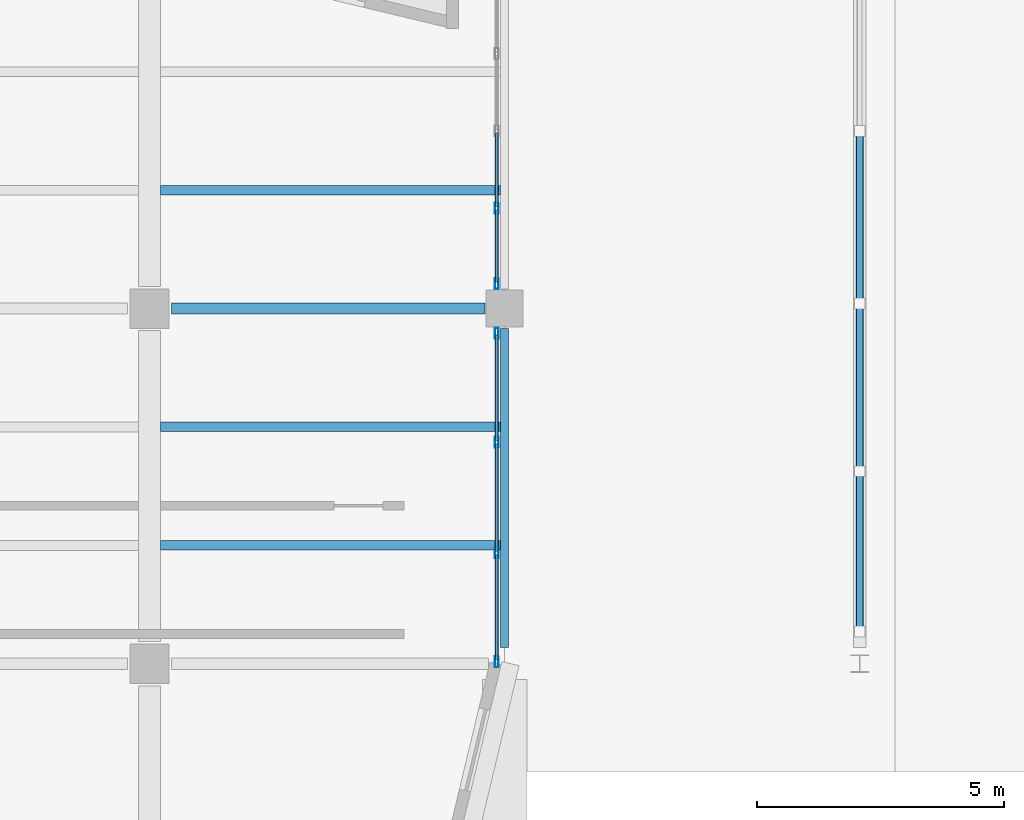
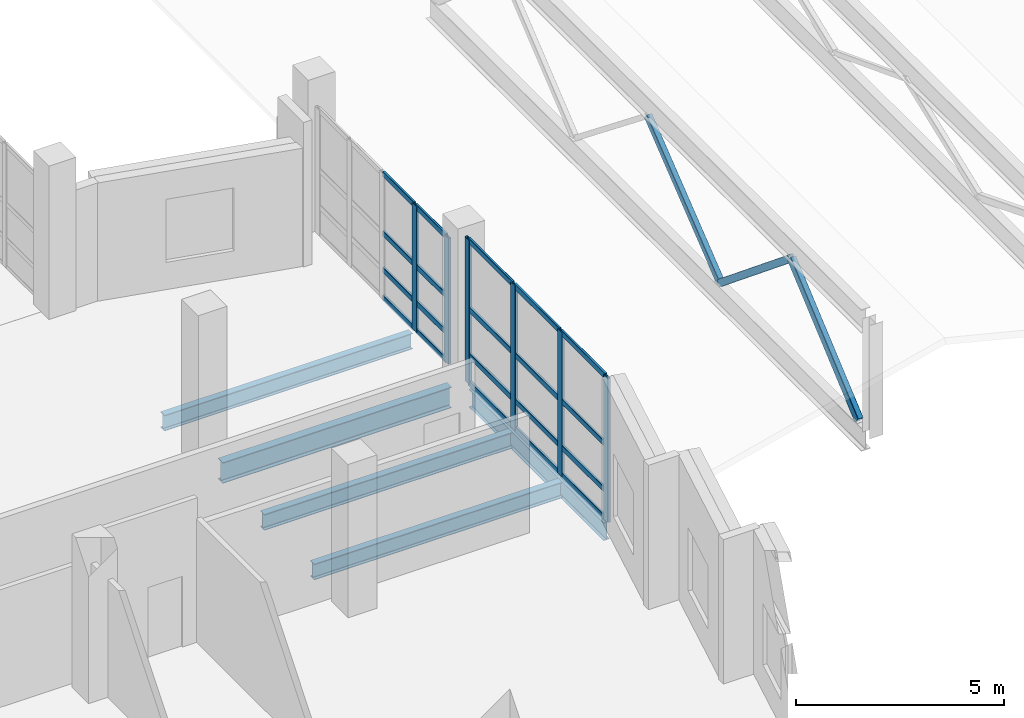
# One storey, part 26 of 123: 29 members, 5 beams, 2 elements without a shape of their own.
"""IFC4 building model written with IfcOpenShell, lengths in metres."""

from ifc_helpers import new_model, si_unit, direction, frame, origin, origin_2d, place, context, subcontext, project, spatial, hollow_rectangle, i_section, extrude, material, material_profile, profile_set, type_object, element, aggregate, save


model = new_model("IFC4")

# Units and contexts
model_context = context("Model", 3, precision=1e-05, world=origin(), true_north=direction((0.0, 1.0)))
body_context = subcontext(model_context, "Body", "Model", "MODEL_VIEW")
ifc_project = project(units=[si_unit("LENGTHUNIT", "METRE"), si_unit("AREAUNIT", "SQUARE_METRE"), si_unit("VOLUMEUNIT", "CUBIC_METRE"), si_unit("PLANEANGLEUNIT", "RADIAN"), si_unit("MASSUNIT", "GRAM", prefix="KILO")], contexts=[model_context])

# Site, building, storey
site_placement = place(None, origin())
site = spatial("IfcSite", under=ifc_project, at=site_placement, CompositionType="ELEMENT")
building_placement = place(site_placement, origin())
building = spatial("IfcBuilding", under=site, at=building_placement, Name="Kalmorath City Hall", CompositionType="ELEMENT")
storey_placement = place(building_placement, frame((0.0, 0.0, 10.199951171875)))
storey = spatial("IfcBuildingStorey", under=building, at=storey_placement, Name="L02", CompositionType="ELEMENT", Elevation=10.199951171875)

# Curtain wall, members
ifc_material_1 = material(Name="Anodised aluminium and laminated glass", Category="aluminium")
curtain_wall_type_1 = type_object("IfcCurtainWallType", Name="Unitised hurricane curtain wall 6270x3696 M1500", PredefinedType="NOTDEFINED", material=ifc_material_1)
curtain_wall_1_placement = place(storey_placement, origin())
curtain_wall_1 = element("IfcCurtainWall", 1, at=curtain_wall_1_placement, inside=storey, type_object=curtain_wall_type_1, Name="L02 curtain wall CW-63X37M15 #143", PredefinedType="NOTDEFINED")
ifc_material_2 = material(Name="Anodised aluminium framing", Category="aluminium")
ifc_material_profile_1 = material_profile(ifc_material_2, hollow_rectangle(XDim=0.074951171875, YDim=0.219970703125, WallThickness=0.00390625, InnerFilletRadius=0.00390625, OuterFilletRadius=0.008056640625, at=origin_2d()), Name="ALU-MUL-220X75X4")
ifc_profile_set_1 = profile_set([ifc_material_profile_1], Name="Anodised aluminium framing")
member_type_1 = type_object("IfcMemberType", Name="Curtain-wall primary mullion 220x75", PredefinedType="MULLION", material=ifc_profile_set_1)
member_1_placement = place(storey_placement, frame((35.840087890625, 30.83251953125, 0.0), z_axis=(0.0, 0.0, 1.0), x_axis=(1.0, 0.0, 0.0)))
member_1 = element("IfcMember", 2, at=member_1_placement, type_object=member_type_1, Name="CW-63X37M15 mullion 4", PredefinedType="MULLION", context=body_context, shape_type="SweptSolid", body=[
    extrude(hollow_rectangle(XDim=0.074951171875, YDim=0.219970703125, WallThickness=0.00390625, InnerFilletRadius=0.00390625, OuterFilletRadius=0.008056640625, at=origin_2d()), origin(), (0.0, 0.0, 1.0), 3.696044921875),
])
member_2_placement = place(storey_placement, frame((35.840087890625, 29.302490234375, 0.0), z_axis=(0.0, 0.0, 1.0), x_axis=(1.0, 0.0, 0.0)))
member_2 = element("IfcMember", 3, at=member_2_placement, type_object=member_type_1, Name="CW-63X37M15 mullion 5", PredefinedType="MULLION", context=body_context, shape_type="SweptSolid", body=[
    extrude(hollow_rectangle(XDim=0.074951171875, YDim=0.219970703125, WallThickness=0.00390625, InnerFilletRadius=0.00390625, OuterFilletRadius=0.008056640625, at=origin_2d()), origin(), (0.0, 0.0, 1.0), 3.696044921875),
])

ifc_material_3 = material(Name="Anodised aluminium and laminated glass", Category="aluminium")
curtain_wall_type_2 = type_object("IfcCurtainWallType", Name="Unitised hurricane curtain wall 6735x4240 M2100", PredefinedType="NOTDEFINED", material=ifc_material_3)
curtain_wall_2_placement = place(storey_placement, origin())
curtain_wall_2 = element("IfcCurtainWall", 4, at=curtain_wall_2_placement, inside=storey, type_object=curtain_wall_type_2, Name="L02 curtain wall CW-67X42M21 #144", PredefinedType="NOTDEFINED")
member_3_placement = place(storey_placement, frame((35.840087890625, 28.297607421875, 0.0), z_axis=(0.0, 0.0, 1.0), x_axis=(1.0, 0.0, 0.0)))
member_3 = element("IfcMember", 5, at=member_3_placement, type_object=member_type_1, Name="CW-67X42M21 mullion 1", PredefinedType="MULLION", context=body_context, shape_type="SweptSolid", body=[
    extrude(hollow_rectangle(XDim=0.074951171875, YDim=0.219970703125, WallThickness=0.00390625, InnerFilletRadius=0.00390625, OuterFilletRadius=0.008056640625, at=origin_2d()), origin(), (0.0, 0.0, 1.0), 4.239990234375),
])
member_4_placement = place(storey_placement, frame((35.840087890625, 26.090087890625, 0.0), z_axis=(0.0, 0.0, 1.0), x_axis=(1.0, 0.0, 0.0)))
member_4 = element("IfcMember", 6, at=member_4_placement, type_object=member_type_1, Name="CW-67X42M21 mullion 2", PredefinedType="MULLION", context=body_context, shape_type="SweptSolid", body=[
    extrude(hollow_rectangle(XDim=0.074951171875, YDim=0.219970703125, WallThickness=0.00390625, InnerFilletRadius=0.00390625, OuterFilletRadius=0.008056640625, at=origin_2d()), origin(), (0.0, 0.0, 1.0), 4.239990234375),
])
member_5_placement = place(storey_placement, frame((35.840087890625, 23.844970703125, 0.0), z_axis=(0.0, 0.0, 1.0), x_axis=(1.0, 0.0, 0.0)))
member_5 = element("IfcMember", 7, at=member_5_placement, type_object=member_type_1, Name="CW-67X42M21 mullion 3", PredefinedType="MULLION", context=body_context, shape_type="SweptSolid", body=[
    extrude(hollow_rectangle(XDim=0.074951171875, YDim=0.219970703125, WallThickness=0.00390625, InnerFilletRadius=0.00390625, OuterFilletRadius=0.008056640625, at=origin_2d()), origin(), (0.0, 0.0, 1.0), 4.239990234375),
])
member_6_placement = place(storey_placement, frame((35.840087890625, 21.637451171875, 0.0), z_axis=(0.0, 0.0, 1.0), x_axis=(1.0, 0.0, 0.0)))
member_6 = element("IfcMember", 8, at=member_6_placement, type_object=member_type_1, Name="CW-67X42M21 mullion 4", PredefinedType="MULLION", context=body_context, shape_type="SweptSolid", body=[
    extrude(hollow_rectangle(XDim=0.074951171875, YDim=0.219970703125, WallThickness=0.00390625, InnerFilletRadius=0.00390625, OuterFilletRadius=0.008056640625, at=origin_2d()), origin(), (0.0, 0.0, 1.0), 4.239990234375),
])

# Member
ifc_material_4 = material(Name="Anodised aluminium framing", Category="aluminium")
ifc_material_profile_2 = material_profile(ifc_material_4, hollow_rectangle(XDim=0.06494140625, YDim=0.159912109375, WallThickness=0.00390625, InnerFilletRadius=0.00390625, OuterFilletRadius=0.008056640625, at=origin_2d()), Name="ALU-TRN-160X65X4")
ifc_profile_set_2 = profile_set([ifc_material_profile_2], Name="Anodised aluminium framing")
member_type_2 = type_object("IfcMemberType", Name="Curtain-wall primary transom 160x65", PredefinedType="USERDEFINED", material=ifc_profile_set_2)
member_7_placement = place(storey_placement, frame((35.840087890625, 32.362548828125, 0.032470703125), z_axis=(0.0, -1.0, 0.0), x_axis=(1.0, 0.0, 0.0)))
member_7 = element("IfcMember", 9, at=member_7_placement, type_object=member_type_2, Name="CW-63X37M15 transom 3.1", ObjectType="TRANSOM", PredefinedType="USERDEFINED", context=body_context, shape_type="SweptSolid", body=[
    extrude(hollow_rectangle(XDim=0.06494140625, YDim=0.159912109375, WallThickness=0.00390625, InnerFilletRadius=0.00390625, OuterFilletRadius=0.008056640625, at=origin_2d()), origin(), (0.0, 0.0, 1.0), 1.492431640625),
])

member_8_placement = place(storey_placement, frame((35.840087890625, 32.362548828125, 0.85009765625), z_axis=(0.0, -1.0, 0.0), x_axis=(1.0, 0.0, 0.0)))
member_8 = element("IfcMember", 10, at=member_8_placement, type_object=member_type_2, Name="CW-63X37M15 transom 3.2", ObjectType="TRANSOM", PredefinedType="USERDEFINED", context=body_context, shape_type="SweptSolid", body=[
    extrude(hollow_rectangle(XDim=0.06494140625, YDim=0.159912109375, WallThickness=0.00390625, InnerFilletRadius=0.00390625, OuterFilletRadius=0.008056640625, at=origin_2d()), origin(), (0.0, 0.0, 1.0), 1.492431640625),
])

member_9_placement = place(storey_placement, frame((35.840087890625, 32.362548828125, 1.922119140625), z_axis=(0.0, -1.0, 0.0), x_axis=(1.0, 0.0, 0.0)))
member_9 = element("IfcMember", 11, at=member_9_placement, type_object=member_type_2, Name="CW-63X37M15 transom 3.3", ObjectType="TRANSOM", PredefinedType="USERDEFINED", context=body_context, shape_type="SweptSolid", body=[
    extrude(hollow_rectangle(XDim=0.06494140625, YDim=0.159912109375, WallThickness=0.00390625, InnerFilletRadius=0.00390625, OuterFilletRadius=0.008056640625, at=origin_2d()), origin(), (0.0, 0.0, 1.0), 1.492431640625),
])

member_10_placement = place(storey_placement, frame((35.840087890625, 32.362548828125, 3.66357421875), z_axis=(0.0, -1.0, 0.0), x_axis=(1.0, 0.0, 0.0)))
member_10 = element("IfcMember", 12, at=member_10_placement, type_object=member_type_2, Name="CW-63X37M15 transom 3.4", ObjectType="TRANSOM", PredefinedType="USERDEFINED", context=body_context, shape_type="SweptSolid", body=[
    extrude(hollow_rectangle(XDim=0.06494140625, YDim=0.159912109375, WallThickness=0.00390625, InnerFilletRadius=0.00390625, OuterFilletRadius=0.008056640625, at=origin_2d()), origin(), (0.0, 0.0, 1.0), 1.492431640625),
])

member_11_placement = place(storey_placement, frame((35.840087890625, 30.794921875, 0.032470703125), z_axis=(0.0, -1.0, 0.0), x_axis=(1.0, 0.0, 0.0)))
member_11 = element("IfcMember", 13, at=member_11_placement, type_object=member_type_2, Name="CW-63X37M15 transom 4.1", ObjectType="TRANSOM", PredefinedType="USERDEFINED", context=body_context, shape_type="SweptSolid", body=[
    extrude(hollow_rectangle(XDim=0.06494140625, YDim=0.159912109375, WallThickness=0.00390625, InnerFilletRadius=0.00390625, OuterFilletRadius=0.008056640625, at=origin_2d()), origin(), (0.0, 0.0, 1.0), 1.454833984375),
])

member_12_placement = place(storey_placement, frame((35.840087890625, 30.794921875, 0.85009765625), z_axis=(0.0, -1.0, 0.0), x_axis=(1.0, 0.0, 0.0)))
member_12 = element("IfcMember", 14, at=member_12_placement, type_object=member_type_2, Name="CW-63X37M15 transom 4.2", ObjectType="TRANSOM", PredefinedType="USERDEFINED", context=body_context, shape_type="SweptSolid", body=[
    extrude(hollow_rectangle(XDim=0.06494140625, YDim=0.159912109375, WallThickness=0.00390625, InnerFilletRadius=0.00390625, OuterFilletRadius=0.008056640625, at=origin_2d()), origin(), (0.0, 0.0, 1.0), 1.454833984375),
])

member_13_placement = place(storey_placement, frame((35.840087890625, 30.794921875, 1.922119140625), z_axis=(0.0, -1.0, 0.0), x_axis=(1.0, 0.0, 0.0)))
member_13 = element("IfcMember", 15, at=member_13_placement, type_object=member_type_2, Name="CW-63X37M15 transom 4.3", ObjectType="TRANSOM", PredefinedType="USERDEFINED", context=body_context, shape_type="SweptSolid", body=[
    extrude(hollow_rectangle(XDim=0.06494140625, YDim=0.159912109375, WallThickness=0.00390625, InnerFilletRadius=0.00390625, OuterFilletRadius=0.008056640625, at=origin_2d()), origin(), (0.0, 0.0, 1.0), 1.454833984375),
])

member_14_placement = place(storey_placement, frame((35.840087890625, 30.794921875, 3.66357421875), z_axis=(0.0, -1.0, 0.0), x_axis=(1.0, 0.0, 0.0)))
member_14 = element("IfcMember", 16, at=member_14_placement, type_object=member_type_2, Name="CW-63X37M15 transom 4.4", ObjectType="TRANSOM", PredefinedType="USERDEFINED", context=body_context, shape_type="SweptSolid", body=[
    extrude(hollow_rectangle(XDim=0.06494140625, YDim=0.159912109375, WallThickness=0.00390625, InnerFilletRadius=0.00390625, OuterFilletRadius=0.008056640625, at=origin_2d()), origin(), (0.0, 0.0, 1.0), 1.454833984375),
])

aggregate(curtain_wall_1, [member_1, member_2, member_7, member_8, member_9, member_10, member_11, member_12, member_13, member_14])

member_15_placement = place(storey_placement, frame((35.840087890625, 28.260009765625, 0.032470703125), z_axis=(0.0, -1.0, 0.0), x_axis=(1.0, 0.0, 0.0)))
member_15 = element("IfcMember", 17, at=member_15_placement, type_object=member_type_2, Name="CW-67X42M21 transom 1.1", ObjectType="TRANSOM", PredefinedType="USERDEFINED", context=body_context, shape_type="SweptSolid", body=[
    extrude(hollow_rectangle(XDim=0.06494140625, YDim=0.159912109375, WallThickness=0.00390625, InnerFilletRadius=0.00390625, OuterFilletRadius=0.008056640625, at=origin_2d()), origin(), (0.0, 0.0, 1.0), 2.132568359375),
])

member_16_placement = place(storey_placement, frame((35.840087890625, 28.260009765625, 0.85009765625), z_axis=(0.0, -1.0, 0.0), x_axis=(1.0, 0.0, 0.0)))
member_16 = element("IfcMember", 18, at=member_16_placement, type_object=member_type_2, Name="CW-67X42M21 transom 1.2", ObjectType="TRANSOM", PredefinedType="USERDEFINED", context=body_context, shape_type="SweptSolid", body=[
    extrude(hollow_rectangle(XDim=0.06494140625, YDim=0.159912109375, WallThickness=0.00390625, InnerFilletRadius=0.00390625, OuterFilletRadius=0.008056640625, at=origin_2d()), origin(), (0.0, 0.0, 1.0), 2.132568359375),
])

member_17_placement = place(storey_placement, frame((35.840087890625, 28.260009765625, 2.205078125), z_axis=(0.0, -1.0, 0.0), x_axis=(1.0, 0.0, 0.0)))
member_17 = element("IfcMember", 19, at=member_17_placement, type_object=member_type_2, Name="CW-67X42M21 transom 1.3", ObjectType="TRANSOM", PredefinedType="USERDEFINED", context=body_context, shape_type="SweptSolid", body=[
    extrude(hollow_rectangle(XDim=0.06494140625, YDim=0.159912109375, WallThickness=0.00390625, InnerFilletRadius=0.00390625, OuterFilletRadius=0.008056640625, at=origin_2d()), origin(), (0.0, 0.0, 1.0), 2.132568359375),
])

member_18_placement = place(storey_placement, frame((35.840087890625, 28.260009765625, 4.20751953125), z_axis=(0.0, -1.0, 0.0), x_axis=(1.0, 0.0, 0.0)))
member_18 = element("IfcMember", 20, at=member_18_placement, type_object=member_type_2, Name="CW-67X42M21 transom 1.4", ObjectType="TRANSOM", PredefinedType="USERDEFINED", context=body_context, shape_type="SweptSolid", body=[
    extrude(hollow_rectangle(XDim=0.06494140625, YDim=0.159912109375, WallThickness=0.00390625, InnerFilletRadius=0.00390625, OuterFilletRadius=0.008056640625, at=origin_2d()), origin(), (0.0, 0.0, 1.0), 2.132568359375),
])

member_19_placement = place(storey_placement, frame((35.840087890625, 26.052490234375, 0.032470703125), z_axis=(0.0, -1.0, 0.0), x_axis=(1.0, 0.0, 0.0)))
member_19 = element("IfcMember", 21, at=member_19_placement, type_object=member_type_2, Name="CW-67X42M21 transom 2.1", ObjectType="TRANSOM", PredefinedType="USERDEFINED", context=body_context, shape_type="SweptSolid", body=[
    extrude(hollow_rectangle(XDim=0.06494140625, YDim=0.159912109375, WallThickness=0.00390625, InnerFilletRadius=0.00390625, OuterFilletRadius=0.008056640625, at=origin_2d()), origin(), (0.0, 0.0, 1.0), 2.169921875),
])

member_20_placement = place(storey_placement, frame((35.840087890625, 26.052490234375, 0.85009765625), z_axis=(0.0, -1.0, 0.0), x_axis=(1.0, 0.0, 0.0)))
member_20 = element("IfcMember", 22, at=member_20_placement, type_object=member_type_2, Name="CW-67X42M21 transom 2.2", ObjectType="TRANSOM", PredefinedType="USERDEFINED", context=body_context, shape_type="SweptSolid", body=[
    extrude(hollow_rectangle(XDim=0.06494140625, YDim=0.159912109375, WallThickness=0.00390625, InnerFilletRadius=0.00390625, OuterFilletRadius=0.008056640625, at=origin_2d()), origin(), (0.0, 0.0, 1.0), 2.169921875),
])

member_21_placement = place(storey_placement, frame((35.840087890625, 26.052490234375, 2.205078125), z_axis=(0.0, -1.0, 0.0), x_axis=(1.0, 0.0, 0.0)))
member_21 = element("IfcMember", 23, at=member_21_placement, type_object=member_type_2, Name="CW-67X42M21 transom 2.3", ObjectType="TRANSOM", PredefinedType="USERDEFINED", context=body_context, shape_type="SweptSolid", body=[
    extrude(hollow_rectangle(XDim=0.06494140625, YDim=0.159912109375, WallThickness=0.00390625, InnerFilletRadius=0.00390625, OuterFilletRadius=0.008056640625, at=origin_2d()), origin(), (0.0, 0.0, 1.0), 2.169921875),
])

member_22_placement = place(storey_placement, frame((35.840087890625, 26.052490234375, 4.20751953125), z_axis=(0.0, -1.0, 0.0), x_axis=(1.0, 0.0, 0.0)))
member_22 = element("IfcMember", 24, at=member_22_placement, type_object=member_type_2, Name="CW-67X42M21 transom 2.4", ObjectType="TRANSOM", PredefinedType="USERDEFINED", context=body_context, shape_type="SweptSolid", body=[
    extrude(hollow_rectangle(XDim=0.06494140625, YDim=0.159912109375, WallThickness=0.00390625, InnerFilletRadius=0.00390625, OuterFilletRadius=0.008056640625, at=origin_2d()), origin(), (0.0, 0.0, 1.0), 2.169921875),
])

member_23_placement = place(storey_placement, frame((35.840087890625, 23.8076171875, 0.032470703125), z_axis=(0.0, -1.0, 0.0), x_axis=(1.0, 0.0, 0.0)))
member_23 = element("IfcMember", 25, at=member_23_placement, type_object=member_type_2, Name="CW-67X42M21 transom 3.1", ObjectType="TRANSOM", PredefinedType="USERDEFINED", context=body_context, shape_type="SweptSolid", body=[
    extrude(hollow_rectangle(XDim=0.06494140625, YDim=0.159912109375, WallThickness=0.00390625, InnerFilletRadius=0.00390625, OuterFilletRadius=0.008056640625, at=origin_2d()), origin(), (0.0, 0.0, 1.0), 2.132568359375),
])

member_24_placement = place(storey_placement, frame((35.840087890625, 23.8076171875, 0.85009765625), z_axis=(0.0, -1.0, 0.0), x_axis=(1.0, 0.0, 0.0)))
member_24 = element("IfcMember", 26, at=member_24_placement, type_object=member_type_2, Name="CW-67X42M21 transom 3.2", ObjectType="TRANSOM", PredefinedType="USERDEFINED", context=body_context, shape_type="SweptSolid", body=[
    extrude(hollow_rectangle(XDim=0.06494140625, YDim=0.159912109375, WallThickness=0.00390625, InnerFilletRadius=0.00390625, OuterFilletRadius=0.008056640625, at=origin_2d()), origin(), (0.0, 0.0, 1.0), 2.132568359375),
])

member_25_placement = place(storey_placement, frame((35.840087890625, 23.8076171875, 2.205078125), z_axis=(0.0, -1.0, 0.0), x_axis=(1.0, 0.0, 0.0)))
member_25 = element("IfcMember", 27, at=member_25_placement, type_object=member_type_2, Name="CW-67X42M21 transom 3.3", ObjectType="TRANSOM", PredefinedType="USERDEFINED", context=body_context, shape_type="SweptSolid", body=[
    extrude(hollow_rectangle(XDim=0.06494140625, YDim=0.159912109375, WallThickness=0.00390625, InnerFilletRadius=0.00390625, OuterFilletRadius=0.008056640625, at=origin_2d()), origin(), (0.0, 0.0, 1.0), 2.132568359375),
])

member_26_placement = place(storey_placement, frame((35.840087890625, 23.8076171875, 4.20751953125), z_axis=(0.0, -1.0, 0.0), x_axis=(1.0, 0.0, 0.0)))
member_26 = element("IfcMember", 28, at=member_26_placement, type_object=member_type_2, Name="CW-67X42M21 transom 3.4", ObjectType="TRANSOM", PredefinedType="USERDEFINED", context=body_context, shape_type="SweptSolid", body=[
    extrude(hollow_rectangle(XDim=0.06494140625, YDim=0.159912109375, WallThickness=0.00390625, InnerFilletRadius=0.00390625, OuterFilletRadius=0.008056640625, at=origin_2d()), origin(), (0.0, 0.0, 1.0), 2.132568359375),
])

aggregate(curtain_wall_2, [member_3, member_4, member_5, member_6, member_15, member_16, member_17, member_18, member_19, member_20, member_21, member_22, member_23, member_24, member_25, member_26])

# Beams
ifc_material_5 = material(Name="Steel ASTM A992 Grade 50", Category="steel")
ifc_material_profile_3 = material_profile(ifc_material_5, i_section(OverallWidth=0.19091796875, OverallDepth=0.4599609375, WebThickness=0.010009765625, FlangeThickness=0.01611328125, FilletRadius=0.013916015625, at=origin_2d()), Name="W18X55")
ifc_profile_set_3 = profile_set([ifc_material_profile_3], Name="Steel ASTM A992 Grade 50")
beam_type_1 = type_object("IfcBeamType", Name="Steel composite joist W18X55", PredefinedType="JOIST", material=ifc_profile_set_3)
beam_1_placement = place(storey_placement, frame((29.02490234375, 31.199951171875, -0.513916015625), z_axis=(1.0, 0.0, 0.0), x_axis=(0.0, 1.0, 0.0)))
element("IfcBeam", 29, at=beam_1_placement, inside=storey, type_object=beam_type_1, Name="L02 joist SJ2 5.5.1", PredefinedType="JOIST", context=body_context, shape_type="SweptSolid", body=[
    extrude(i_section(OverallWidth=0.19091796875, OverallDepth=0.4599609375, WebThickness=0.010009765625, FlangeThickness=0.01611328125, FilletRadius=0.013916015625, at=origin_2d()), origin(), (0.0, 0.0, 1.0), 6.892578125),
])
ifc_material_6 = material(Name="Steel ASTM A992 Grade 50", Category="steel")
ifc_material_profile_4 = material_profile(ifc_material_6, i_section(OverallWidth=0.193115234375, OverallDepth=0.466064453125, WebThickness=0.011474609375, FlangeThickness=0.01904296875, FilletRadius=0.013916015625, at=origin_2d()), Name="W18X65")
ifc_profile_set_4 = profile_set([ifc_material_profile_4], Name="Steel ASTM A992 Grade 50")
beam_type_2 = type_object("IfcBeamType", Name="Steel composite joist W18X65", PredefinedType="JOIST", material=ifc_profile_set_4)
for number, where, z_axis, x_axis, name in (
    (30, (29.02490234375, 24.0, -0.516845703125), (1.0, 0.0, 0.0), (0.0, 1.0, 0.0), "L02 joist SJ1 5.4.1"),
    (31, (29.02490234375, 26.39990234375, -0.516845703125), (1.0, 0.0, 0.0), (0.0, 1.0, 0.0), "L02 joist SJ1 5.4.2"),
):
    element("IfcBeam", number, at=place(storey_placement, frame(where, z_axis=z_axis, x_axis=x_axis)), inside=storey, type_object=beam_type_2, Name=name, PredefinedType="JOIST", context=body_context, shape_type="SweptSolid", body=[
        extrude(i_section(OverallWidth=0.193115234375, OverallDepth=0.466064453125, WebThickness=0.011474609375, FlangeThickness=0.01904296875, FilletRadius=0.013916015625, at=origin_2d()), origin(), (0.0, 0.0, 1.0), 6.892578125),
    ])
ifc_material_7 = material(Name="Steel ASTM A992 Grade 50", Category="steel")
ifc_material_profile_5 = material_profile(ifc_material_7, i_section(OverallWidth=0.22900390625, OverallDepth=0.612060546875, WebThickness=0.011962890625, FlangeThickness=0.01953125, FilletRadius=0.01611328125, at=origin_2d()), Name="W24X84")
ifc_profile_set_5 = profile_set([ifc_material_profile_5], Name="Steel ASTM A992 Grade 50")
beam_type_3 = type_object("IfcBeamType", Name="Steel floor girder W24X84", PredefinedType="BEAM", material=ifc_profile_set_5)
beam_2_placement = place(storey_placement, frame((29.25, 28.800048828125, -0.58984375), z_axis=(1.0, 0.0, 0.0), x_axis=(0.0, 1.0, 0.0)))
element("IfcBeam", 32, at=beam_2_placement, inside=storey, type_object=beam_type_3, Name="L02 girder SG8 X5-6/5", PredefinedType="BEAM", context=body_context, shape_type="SweptSolid", body=[
    extrude(i_section(OverallWidth=0.22900390625, OverallDepth=0.612060546875, WebThickness=0.011962890625, FlangeThickness=0.01953125, FilletRadius=0.01611328125, at=origin_2d()), origin(), (0.0, 0.0, 1.0), 6.35009765625),
])
ifc_material_8 = material(Name="Steel ASTM A992 Grade 50", Category="steel")
ifc_material_profile_6 = material_profile(ifc_material_8, i_section(OverallWidth=0.1650390625, OverallDepth=0.52490234375, WebThickness=0.0087890625, FlangeThickness=0.011474609375, FilletRadius=0.014892578125, at=origin_2d()), Name="W21X44")
ifc_profile_set_6 = profile_set([ifc_material_profile_6], Name="Steel ASTM A992 Grade 50")
beam_type_4 = type_object("IfcBeamType", Name="Steel spandrel beam W21X44", PredefinedType="SPANDREL", material=ifc_profile_set_6)
beam_3_placement = place(storey_placement, frame((36.0, 21.925048828125, -0.54638671875), z_axis=(0.0, 1.0, 0.0), x_axis=(-1.0, 0.0, 0.0)))
element("IfcBeam", 33, at=beam_3_placement, inside=storey, type_object=beam_type_4, Name="L02 girder SB4 Y6/4-5", PredefinedType="SPANDREL", context=body_context, shape_type="SweptSolid", body=[
    extrude(i_section(OverallWidth=0.1650390625, OverallDepth=0.52490234375, WebThickness=0.0087890625, FlangeThickness=0.011474609375, FilletRadius=0.014892578125, at=origin_2d()), origin(), (0.0, 0.0, 1.0), 6.474853515625),
])

# Members
ifc_material_9 = material(Name="Steel ASTM A500 Grade C", Category="steel")
ifc_material_profile_7 = material_profile(ifc_material_9, hollow_rectangle(XDim=0.152099609375, YDim=0.25390625, WallThickness=0.0087890625, InnerFilletRadius=0.0087890625, OuterFilletRadius=0.017822265625, at=origin_2d()), Name="HSS254X152X9.5")
ifc_profile_set_7 = profile_set([ifc_material_profile_7], Name="Steel ASTM A500 Grade C")
member_type_3 = type_object("IfcMemberType", Name="Steel truss web chord HSS254X152X9.5", PredefinedType="CHORD", material=ifc_profile_set_7)
member_27_placement = place(storey_placement, frame((43.199951171875, 22.25, -0.008056640625), z_axis=(0.0, 0.759800241146, 0.650156591564), x_axis=(-1.0, 0.0, 0.0)))
element("IfcMember", 34, at=member_27_placement, inside=storey, type_object=member_type_3, Name="Public Hall truss web CH1-1.1", PredefinedType="CHORD", context=body_context, shape_type="SweptSolid", body=[
    extrude(hollow_rectangle(XDim=0.152099609375, YDim=0.25390625, WallThickness=0.0087890625, InnerFilletRadius=0.0087890625, OuterFilletRadius=0.017822265625, at=origin_2d()), origin(), (0.0, 0.0, 1.0), 4.27734375),
])
ifc_material_10 = material(Name="Steel ASTM A500 Grade C", Category="steel")
ifc_material_profile_8 = material_profile(ifc_material_10, hollow_rectangle(XDim=0.152099609375, YDim=0.202880859375, WallThickness=0.0087890625, InnerFilletRadius=0.0087890625, OuterFilletRadius=0.017822265625, at=origin_2d()), Name="HSS203X152X9.5")
ifc_profile_set_8 = profile_set([ifc_material_profile_8], Name="Steel ASTM A500 Grade C")
member_type_4 = type_object("IfcMemberType", Name="Steel truss web diagonal HSS203X152X9.5", PredefinedType="CHORD", material=ifc_profile_set_8)
member_28_placement = place(storey_placement, frame((43.199951171875, 25.5, 2.77294921875), z_axis=(0.0, 0.774039015239, -0.633137901952), x_axis=(-1.0, 0.0, 0.0)))
element("IfcMember", 35, at=member_28_placement, inside=storey, type_object=member_type_4, Name="Public Hall truss web CH2-1.2", PredefinedType="CHORD", context=body_context, shape_type="SweptSolid", body=[
    extrude(hollow_rectangle(XDim=0.152099609375, YDim=0.202880859375, WallThickness=0.0087890625, InnerFilletRadius=0.0087890625, OuterFilletRadius=0.017822265625, at=origin_2d()), origin(), (0.0, 0.0, 1.0), 4.392333984375),
])
member_29_placement = place(storey_placement, frame((43.199951171875, 28.89990234375, -0.008056640625), z_axis=(0.0, 0.782937155165, 0.622100804582), x_axis=(-1.0, 0.0, 0.0)))
element("IfcMember", 36, at=member_29_placement, inside=storey, type_object=member_type_4, Name="Public Hall truss web CH2-1.3", PredefinedType="CHORD", context=body_context, shape_type="SweptSolid", body=[
    extrude(hollow_rectangle(XDim=0.152099609375, YDim=0.202880859375, WallThickness=0.0087890625, InnerFilletRadius=0.0087890625, OuterFilletRadius=0.017822265625, at=origin_2d()), origin(), (0.0, 0.0, 1.0), 4.470458984375),
])

save(model, "model.ifc")
